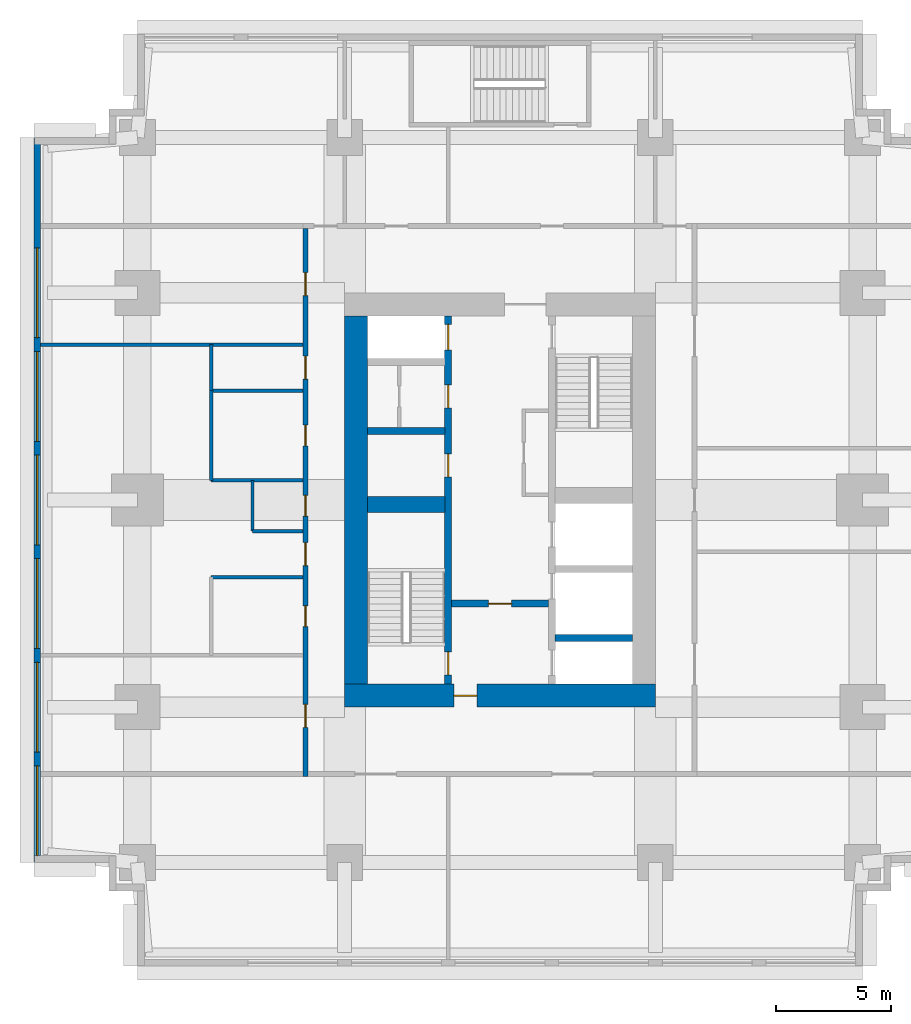
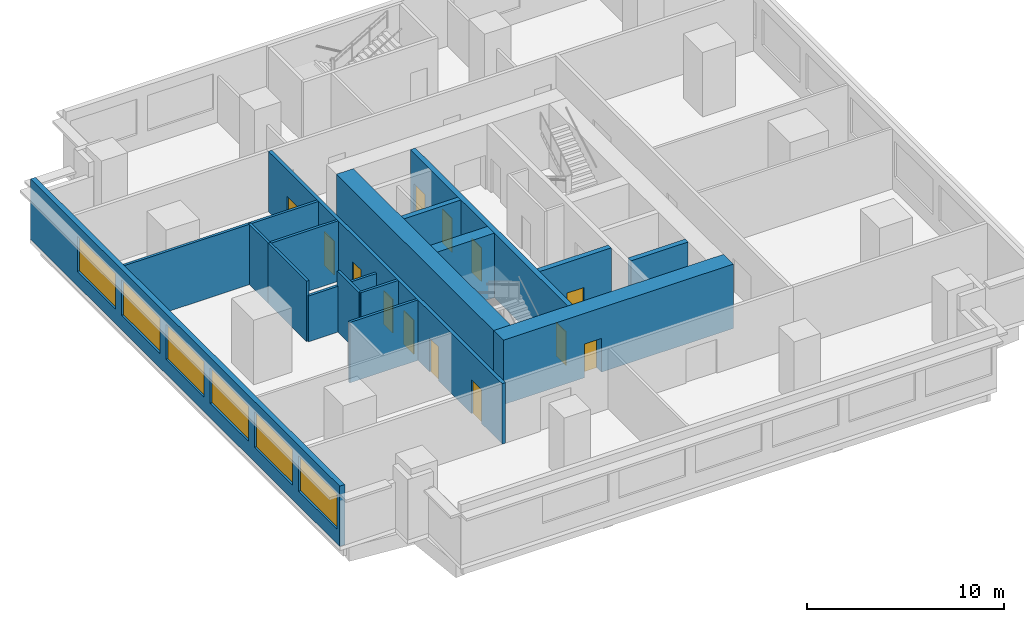
# One storey, part 3 of 11: 17 walls, 13 doors, 6 windows, 19 openings.
"""IFC4 building model written with IfcOpenShell, lengths in metres."""

from ifc_helpers import new_model, si_unit, direction, frame, frame_2d, origin, place, context, subcontext, project, spatial, rectangle, extrude, material, layer, layer_set, type_object, element, fill, save


model = new_model("IFC4")

# Units and contexts
model_context = context("Model", 3, precision=1e-05, world=origin(), true_north=direction((0.0, 1.0)))
body_context = subcontext(model_context, "Body", "Model", "MODEL_VIEW")
ifc_project = project(units=[si_unit("LENGTHUNIT", "METRE"), si_unit("AREAUNIT", "SQUARE_METRE"), si_unit("VOLUMEUNIT", "CUBIC_METRE"), si_unit("PLANEANGLEUNIT", "RADIAN"), si_unit("MASSUNIT", "GRAM", prefix="KILO")], contexts=[model_context])

# Site, building, storey
site_placement = place(None, origin())
site = spatial("IfcSite", under=ifc_project, at=site_placement, CompositionType="ELEMENT")
building_placement = place(site_placement, origin())
building = spatial("IfcBuilding", under=site, at=building_placement, Name="Namib Vertical Campus", CompositionType="ELEMENT")
storey_placement = place(building_placement, frame((0.0, 0.0, 221.0)))
storey = spatial("IfcBuildingStorey", under=building, at=storey_placement, Name="L52", CompositionType="ELEMENT", Elevation=221.0)

# Wall, openings, doors
ifc_material_1 = material(Name="Concrete C60/75", Category="concrete")
ifc_layer_1 = layer(ifc_material_1, 0.300048828125)
ifc_layer_set_1 = layer_set([ifc_layer_1], Name="Concrete C60/75")
wall_type_1 = type_object("IfcWallType", Name="Core inner wall 300", PredefinedType="SHEAR", material=ifc_layer_set_1)
wall_1_placement = place(storey_placement, frame((18.0, 12.25, 0.0), z_axis=(0.0, 0.0, 1.0), x_axis=(0.0, 1.0, 0.0)))
wall_1 = element("IfcWall", 1, at=wall_1_placement, inside=storey, type_object=wall_type_1, Name="Core inner wall A L52 W1", PredefinedType="SHEAR", context=body_context, shape_type="SweptSolid", body=[
    extrude(rectangle(XDim=16.0, YDim=0.300048828125, at=frame_2d((8.0, 0.0))), origin(), (0.0, 0.0, 1.0), 4.0),
])
opening_1_placement = place(wall_1_placement, frame((0.39990234375, 0.0, 0.0)))
opening_1 = element("IfcOpeningElement", 2, at=opening_1_placement, cuts=wall_1, Name="Opening FD1", PredefinedType="OPENING", context=body_context, shape_type="SweptSolid", body=[
    extrude(rectangle(XDim=1.0, YDim=2.10009765625, at=frame_2d((0.5, 1.050048828125))), frame((0.0, 0.159912109375, 0.0), z_axis=(0.0, -1.0, 0.0), x_axis=(1.0, 0.0, 0.0)), (0.0, 0.0, 1.0), 0.320068359375),
])
opening_2_placement = place(wall_1_placement, frame((14.52490234375, 0.0, 0.0)))
opening_2 = element("IfcOpeningElement", 3, at=opening_2_placement, cuts=wall_1, Name="Opening LD1", PredefinedType="OPENING", context=body_context, shape_type="SweptSolid", body=[
    extrude(rectangle(XDim=1.10009765625, YDim=2.10009765625, at=frame_2d((0.550048828125, 1.050048828125))), frame((0.0, 0.159912109375, 0.0), z_axis=(0.0, -1.0, 0.0), x_axis=(1.0, 0.0, 0.0)), (0.0, 0.0, 1.0), 0.320068359375),
])
opening_3_placement = place(wall_1_placement, frame((9.0, 0.0, 0.0)))
opening_3 = element("IfcOpeningElement", 4, at=opening_3_placement, cuts=wall_1, Name="Opening D1", PredefinedType="OPENING", context=body_context, shape_type="SweptSolid", body=[
    extrude(rectangle(XDim=1.0, YDim=2.10009765625, at=frame_2d((0.5, 1.050048828125))), frame((0.0, 0.159912109375, 0.0), z_axis=(0.0, -1.0, 0.0), x_axis=(1.0, 0.0, 0.0)), (0.0, 0.0, 1.0), 0.320068359375),
])
opening_4_placement = place(wall_1_placement, frame((12.0, 0.0, 0.0)))
opening_4 = element("IfcOpeningElement", 5, at=opening_4_placement, cuts=wall_1, Name="Opening D1", PredefinedType="OPENING", context=body_context, shape_type="SweptSolid", body=[
    extrude(rectangle(XDim=1.0, YDim=2.10009765625, at=frame_2d((0.5, 1.050048828125))), frame((0.0, 0.159912109375, 0.0), z_axis=(0.0, -1.0, 0.0), x_axis=(1.0, 0.0, 0.0)), (0.0, 0.0, 1.0), 0.320068359375),
])
ifc_material_2 = material(Name="Timber door leaf", Category="wood")
door_type_1 = type_object("IfcDoorType", Name="Door single 1000x2100", OperationType="SINGLE_SWING_LEFT", PredefinedType="DOOR", material=ifc_material_2)
door_1_placement = place(opening_3_placement, origin())
door_1 = element("IfcDoor", 6, at=door_1_placement, inside=storey, type_object=door_type_1, Name="Door D1 Comms room A L52 P1", OperationType="SINGLE_SWING_LEFT", OverallHeight=2.10009765625, OverallWidth=1.0, PredefinedType="DOOR", context=body_context, shape_type="SweptSolid", body=[
    extrude(rectangle(XDim=1.0, YDim=2.10009765625, at=frame_2d((0.5, 1.050048828125))), frame((0.0, 0.02490234375, 0.0), z_axis=(0.0, -1.0, 0.0), x_axis=(1.0, 0.0, 0.0)), (0.0, 0.0, 1.0), 0.050048828125),
])
fill(opening_3, door_1)
door_2_placement = place(opening_4_placement, origin())
door_2 = element("IfcDoor", 7, at=door_2_placement, inside=storey, type_object=door_type_1, Name="Door D1 Store A L52 P2", OperationType="SINGLE_SWING_LEFT", OverallHeight=2.10009765625, OverallWidth=1.0, PredefinedType="DOOR", context=body_context, shape_type="SweptSolid", body=[
    extrude(rectangle(XDim=1.0, YDim=2.10009765625, at=frame_2d((0.5, 1.050048828125))), frame((0.0, 0.02490234375, 0.0), z_axis=(0.0, -1.0, 0.0), x_axis=(1.0, 0.0, 0.0)), (0.0, 0.0, 1.0), 0.050048828125),
])
fill(opening_4, door_2)
ifc_material_3 = material(Name="Steel fire door", Category="steel")
door_type_2 = type_object("IfcDoorType", Name="Fire door 1000x2100", OperationType="SINGLE_SWING_RIGHT", PredefinedType="DOOR", material=ifc_material_3)
door_3_placement = place(opening_1_placement, origin())
door_3 = element("IfcDoor", 8, at=door_3_placement, inside=storey, type_object=door_type_2, Name="Stair door FD1 A L52 S1", OperationType="SINGLE_SWING_LEFT", OverallHeight=2.10009765625, OverallWidth=1.0, PredefinedType="DOOR", context=body_context, shape_type="SweptSolid", body=[
    extrude(rectangle(XDim=1.0, YDim=2.10009765625, at=frame_2d((0.5, 1.050048828125))), frame((0.0, 0.02490234375, 0.0), z_axis=(0.0, -1.0, 0.0), x_axis=(1.0, 0.0, 0.0)), (0.0, 0.0, 1.0), 0.050048828125),
])
fill(opening_1, door_3)
ifc_material_4 = material(Name="Stainless steel lift door", Category="steel")
door_type_3 = type_object("IfcDoorType", Name="Lift landing door 1100x2100", OperationType="DOUBLE_DOOR_SLIDING", PredefinedType="DOOR", material=ifc_material_4)
door_4_placement = place(opening_2_placement, origin())
door_4 = element("IfcDoor", 9, at=door_4_placement, inside=storey, type_object=door_type_3, Name="Lift landing door LD1 A-P3 L52", OperationType="DOUBLE_DOOR_SLIDING", OverallHeight=2.10009765625, OverallWidth=1.10009765625, PredefinedType="DOOR", context=body_context, shape_type="SweptSolid", body=[
    extrude(rectangle(XDim=1.10009765625, YDim=2.10009765625, at=frame_2d((0.550048828125, 1.050048828125))), frame((0.0, 0.02490234375, 0.0), z_axis=(0.0, -1.0, 0.0), x_axis=(1.0, 0.0, 0.0)), (0.0, 0.0, 1.0), 0.050048828125),
])
fill(opening_2, door_4)

# Wall, opening, door
wall_2_placement = place(storey_placement, frame((18.14990234375, 15.75, 0.0), z_axis=(0.0, 0.0, 1.0), x_axis=(1.0, 0.0, 0.0)))
wall_2 = element("IfcWall", 10, at=wall_2_placement, inside=storey, type_object=wall_type_1, Name="Core inner wall A L52 W4", PredefinedType="SHEAR", context=body_context, shape_type="SweptSolid", body=[
    extrude(rectangle(XDim=4.2001953125, YDim=0.300048828125, at=frame_2d((2.10009765625, 0.0))), origin(), (0.0, 0.0, 1.0), 4.0),
])
opening_5_placement = place(wall_2_placement, frame((1.60009765625, 0.0, 0.0)))
opening_5 = element("IfcOpeningElement", 11, at=opening_5_placement, cuts=wall_2, Name="Opening FD5", PredefinedType="OPENING", context=body_context, shape_type="SweptSolid", body=[
    extrude(rectangle(XDim=1.0, YDim=2.10009765625, at=frame_2d((0.5, 1.050048828125))), frame((0.0, 0.159912109375, 0.0), z_axis=(0.0, -1.0, 0.0), x_axis=(1.0, 0.0, 0.0)), (0.0, 0.0, 1.0), 0.320068359375),
])
ifc_material_5 = material(Name="Steel fire door", Category="steel")
door_type_4 = type_object("IfcDoorType", Name="Fire door 1000x2100 120 min", OperationType="SINGLE_SWING_RIGHT", PredefinedType="DOOR", material=ifc_material_5)
door_5_placement = place(opening_5_placement, frame((1.0, 0.0, 0.0), z_axis=(0.0, 0.0, 1.0), x_axis=(-1.0, 0.0, 0.0)))
door_5 = element("IfcDoor", 12, at=door_5_placement, inside=storey, type_object=door_type_4, Name="Lobby door FD5 A L52", OperationType="SINGLE_SWING_RIGHT", OverallHeight=2.10009765625, OverallWidth=1.0, PredefinedType="DOOR", context=body_context, shape_type="SweptSolid", body=[
    extrude(rectangle(XDim=1.0, YDim=2.10009765625, at=frame_2d((0.5, 1.050048828125))), frame((0.0, 0.02490234375, 0.0), z_axis=(0.0, -1.0, 0.0), x_axis=(1.0, 0.0, 0.0)), (0.0, 0.0, 1.0), 0.050048828125),
])
fill(opening_5, door_5)

# Walls
for number, where, z_axis, x_axis, name in (
    (13, (22.64990234375, 14.25, 0.0), (0.0, 0.0, 1.0), (1.0, 0.0, 0.0), "Core inner wall A L52 W5"),
    (14, (14.5, 23.25, 0.0), (0.0, 0.0, 1.0), (1.0, 0.0, 0.0), "Core inner wall A L52 W8"),
):
    element("IfcWall", number, at=place(storey_placement, frame(where, z_axis=z_axis, x_axis=x_axis)), inside=storey, type_object=wall_type_1, Name=name, PredefinedType="SHEAR", context=body_context, shape_type="SweptSolid", body=[
        extrude(rectangle(XDim=3.35009765625, YDim=0.300048828125, at=frame_2d((1.675048828125, 0.0))), origin(), (0.0, 0.0, 1.0), 4.0),
    ])
ifc_material_6 = material(Name="Concrete C60/75", Category="concrete")
ifc_layer_2 = layer(ifc_material_6, 0.699951171875)
ifc_layer_set_2 = layer_set([ifc_layer_2], Name="Concrete C60/75")
wall_type_2 = type_object("IfcWallType", Name="Core shear wall 700", PredefinedType="SHEAR", material=ifc_layer_set_2)
wall_3_placement = place(storey_placement, frame((14.5, 20.050048828125, 0.0), z_axis=(0.0, 0.0, 1.0), x_axis=(1.0, 0.0, 0.0)))
element("IfcWall", 15, at=wall_3_placement, inside=storey, type_object=wall_type_2, Name="Core shear wall A L52 W3", PredefinedType="SHEAR", context=body_context, shape_type="SweptSolid", body=[
    extrude(rectangle(XDim=3.35009765625, YDim=0.699951171875, at=frame_2d((1.675048828125, 0.0))), origin(), (0.0, 0.0, 1.0), 4.0),
])

# Wall, opening, door
ifc_material_7 = material(Name="Concrete C60/75", Category="concrete")
ifc_layer_3 = layer(ifc_material_7, 1.0)
ifc_layer_set_3 = layer_set([ifc_layer_3], Name="Concrete C60/75")
wall_type_3 = type_object("IfcWallType", Name="Core wall 1000", PredefinedType="SHEAR", material=ifc_layer_set_3)
wall_4_placement = place(storey_placement, frame((13.5, 11.75, 0.0), z_axis=(0.0, 0.0, 1.0), x_axis=(1.0, 0.0, 0.0)))
wall_4 = element("IfcWall", 16, at=wall_4_placement, inside=storey, type_object=wall_type_3, Name="Core wall A L52 1", PredefinedType="SHEAR", context=body_context, shape_type="SweptSolid", body=[
    extrude(rectangle(XDim=13.5, YDim=1.0, at=frame_2d((6.75, 0.0))), origin(), (0.0, 0.0, 1.0), 4.0),
])
opening_6_placement = place(wall_4_placement, frame((4.75, 0.0, 0.0)))
opening_6 = element("IfcOpeningElement", 17, at=opening_6_placement, cuts=wall_4, Name="Opening FD5", PredefinedType="OPENING", context=body_context, shape_type="SweptSolid", body=[
    extrude(rectangle(XDim=1.0, YDim=2.10009765625, at=frame_2d((0.5, 1.050048828125))), frame((0.0, 0.510009765625, 0.0), z_axis=(0.0, -1.0, 0.0), x_axis=(1.0, 0.0, 0.0)), (0.0, 0.0, 1.0), 1.02001953125),
])
door_6_placement = place(opening_6_placement, origin())
door_6 = element("IfcDoor", 18, at=door_6_placement, inside=storey, type_object=door_type_4, Name="Firefighting lobby door FD5 A L52", OperationType="SINGLE_SWING_LEFT", OverallHeight=2.10009765625, OverallWidth=1.0, PredefinedType="DOOR", context=body_context, shape_type="SweptSolid", body=[
    extrude(rectangle(XDim=1.0, YDim=2.10009765625, at=frame_2d((0.5, 1.050048828125))), frame((0.0, 0.02490234375, 0.0), z_axis=(0.0, -1.0, 0.0), x_axis=(1.0, 0.0, 0.0)), (0.0, 0.0, 1.0), 0.050048828125),
])
fill(opening_6, door_6)

# Wall
wall_5_placement = place(storey_placement, frame((14.0, 28.25, 0.0), z_axis=(0.0, 0.0, 1.0), x_axis=(0.0, -1.0, 0.0)))
element("IfcWall", 19, at=wall_5_placement, inside=storey, type_object=wall_type_3, Name="Core wall A L52 4", PredefinedType="SHEAR", context=body_context, shape_type="SweptSolid", body=[
    extrude(rectangle(XDim=16.0, YDim=1.0, at=frame_2d((8.0, 0.0))), origin(), (0.0, 0.0, 1.0), 4.0),
])

# Wall, openings, doors
ifc_material_8 = material(Name="Concrete masonry", Category="masonry")
ifc_layer_4 = layer(ifc_material_8, 0.199951171875)
ifc_layer_set_4 = layer_set([ifc_layer_4], Name="Corridor wall 200")
wall_type_4 = type_object("IfcWallType", Name="Corridor wall 200", PredefinedType="SOLIDWALL", material=ifc_layer_set_4)
wall_6_placement = place(storey_placement, frame((11.800048828125, 32.050048828125, 0.0), z_axis=(0.0, 0.0, 1.0), x_axis=(0.0, -1.0, 0.0)))
wall_6 = element("IfcWall", 20, at=wall_6_placement, inside=storey, type_object=wall_type_4, Name="Corridor wall A L52 CW", PredefinedType="SOLIDWALL", context=body_context, shape_type="SweptSolid", body=[
    extrude(rectangle(XDim=23.800048828125, YDim=0.199951171875, at=frame_2d((11.89990234375, 0.0))), origin(), (0.0, 0.0, 1.0), 3.75),
])
opening_7_placement = place(wall_6_placement, frame((20.675048828125, 0.0, 0.0)))
opening_7 = element("IfcOpeningElement", 21, at=opening_7_placement, cuts=wall_6, Name="Opening CD1", PredefinedType="OPENING", context=body_context, shape_type="SweptSolid", body=[
    extrude(rectangle(XDim=1.0, YDim=2.10009765625, at=frame_2d((0.5, 1.050048828125))), frame((0.0, 0.10986328125, 0.0), z_axis=(0.0, -1.0, 0.0), x_axis=(1.0, 0.0, 0.0)), (0.0, 0.0, 1.0), 0.219970703125),
])
opening_8_placement = place(wall_6_placement, frame((16.39990234375, 0.0, 0.0)))
opening_8 = element("IfcOpeningElement", 22, at=opening_8_placement, cuts=wall_6, Name="Opening CD3", PredefinedType="OPENING", context=body_context, shape_type="SweptSolid", body=[
    extrude(rectangle(XDim=0.89990234375, YDim=2.10009765625, at=frame_2d((0.449951171875, 1.050048828125))), frame((0.0, 0.10986328125, 0.0), z_axis=(0.0, -1.0, 0.0), x_axis=(1.0, 0.0, 0.0)), (0.0, 0.0, 1.0), 0.219970703125),
])
opening_9_placement = place(wall_6_placement, frame((11.60009765625, 0.0, 0.0)))
opening_9 = element("IfcOpeningElement", 23, at=opening_9_placement, cuts=wall_6, Name="Opening CD3", PredefinedType="OPENING", context=body_context, shape_type="SweptSolid", body=[
    extrude(rectangle(XDim=0.89990234375, YDim=2.10009765625, at=frame_2d((0.449951171875, 1.050048828125))), frame((0.0, 0.10986328125, 0.0), z_axis=(0.0, -1.0, 0.0), x_axis=(1.0, 0.0, 0.0)), (0.0, 0.0, 1.0), 0.219970703125),
])
opening_10_placement = place(wall_6_placement, frame((8.550048828125, 0.0, 0.0)))
opening_10 = element("IfcOpeningElement", 24, at=opening_10_placement, cuts=wall_6, Name="Opening CD3", PredefinedType="OPENING", context=body_context, shape_type="SweptSolid", body=[
    extrude(rectangle(XDim=0.89990234375, YDim=2.10009765625, at=frame_2d((0.449951171875, 1.050048828125))), frame((0.0, 0.10986328125, 0.0), z_axis=(0.0, -1.0, 0.0), x_axis=(1.0, 0.0, 0.0)), (0.0, 0.0, 1.0), 0.219970703125),
])
opening_11_placement = place(wall_6_placement, frame((5.550048828125, 0.0, 0.0)))
opening_11 = element("IfcOpeningElement", 25, at=opening_11_placement, cuts=wall_6, Name="Opening CD1", PredefinedType="OPENING", context=body_context, shape_type="SweptSolid", body=[
    extrude(rectangle(XDim=1.0, YDim=2.10009765625, at=frame_2d((0.5, 1.050048828125))), frame((0.0, 0.10986328125, 0.0), z_axis=(0.0, -1.0, 0.0), x_axis=(1.0, 0.0, 0.0)), (0.0, 0.0, 1.0), 0.219970703125),
])
opening_12_placement = place(wall_6_placement, frame((13.64990234375, 0.0, 0.0)))
opening_12 = element("IfcOpeningElement", 26, at=opening_12_placement, cuts=wall_6, Name="Opening CD1", PredefinedType="OPENING", context=body_context, shape_type="SweptSolid", body=[
    extrude(rectangle(XDim=1.0, YDim=2.10009765625, at=frame_2d((0.5, 1.050048828125))), frame((0.0, 0.10986328125, 0.0), z_axis=(0.0, -1.0, 0.0), x_axis=(1.0, 0.0, 0.0)), (0.0, 0.0, 1.0), 0.219970703125),
])
opening_13_placement = place(wall_6_placement, frame((1.925048828125, 0.0, 0.0)))
opening_13 = element("IfcOpeningElement", 27, at=opening_13_placement, cuts=wall_6, Name="Opening CD1", PredefinedType="OPENING", context=body_context, shape_type="SweptSolid", body=[
    extrude(rectangle(XDim=1.0, YDim=2.10009765625, at=frame_2d((0.5, 1.050048828125))), frame((0.0, 0.10986328125, 0.0), z_axis=(0.0, -1.0, 0.0), x_axis=(1.0, 0.0, 0.0)), (0.0, 0.0, 1.0), 0.219970703125),
])
ifc_material_9 = material(Name="Timber fire door leaf", Category="wood")
door_type_5 = type_object("IfcDoorType", Name="Corridor door 1000x2100 20 min", OperationType="SINGLE_SWING_LEFT", PredefinedType="DOOR", material=ifc_material_9)
door_7_placement = place(opening_7_placement, frame((1.0, 0.0, 0.0), z_axis=(0.0, 0.0, 1.0), x_axis=(-1.0, 0.0, 0.0)))
door_7 = element("IfcDoor", 28, at=door_7_placement, inside=storey, type_object=door_type_5, Name="Door CD1 A52-10", OperationType="SINGLE_SWING_RIGHT", OverallHeight=2.10009765625, OverallWidth=1.0, PredefinedType="DOOR", context=body_context, shape_type="SweptSolid", body=[
    extrude(rectangle(XDim=1.0, YDim=2.10009765625, at=frame_2d((0.5, 1.050048828125))), frame((0.0, 0.02490234375, 0.0), z_axis=(0.0, -1.0, 0.0), x_axis=(1.0, 0.0, 0.0)), (0.0, 0.0, 1.0), 0.050048828125),
])
fill(opening_7, door_7)
door_8_placement = place(opening_11_placement, frame((1.0, 0.0, 0.0), z_axis=(0.0, 0.0, 1.0), x_axis=(-1.0, 0.0, 0.0)))
door_8 = element("IfcDoor", 29, at=door_8_placement, inside=storey, type_object=door_type_5, Name="Door CD1 A52-14", OperationType="SINGLE_SWING_RIGHT", OverallHeight=2.10009765625, OverallWidth=1.0, PredefinedType="DOOR", context=body_context, shape_type="SweptSolid", body=[
    extrude(rectangle(XDim=1.0, YDim=2.10009765625, at=frame_2d((0.5, 1.050048828125))), frame((0.0, 0.02490234375, 0.0), z_axis=(0.0, -1.0, 0.0), x_axis=(1.0, 0.0, 0.0)), (0.0, 0.0, 1.0), 0.050048828125),
])
fill(opening_11, door_8)
door_9_placement = place(opening_12_placement, frame((1.0, 0.0, 0.0), z_axis=(0.0, 0.0, 1.0), x_axis=(-1.0, 0.0, 0.0)))
door_9 = element("IfcDoor", 30, at=door_9_placement, inside=storey, type_object=door_type_5, Name="Door CD1 A52-15", OperationType="SINGLE_SWING_RIGHT", OverallHeight=2.10009765625, OverallWidth=1.0, PredefinedType="DOOR", context=body_context, shape_type="SweptSolid", body=[
    extrude(rectangle(XDim=1.0, YDim=2.10009765625, at=frame_2d((0.5, 1.050048828125))), frame((0.0, 0.02490234375, 0.0), z_axis=(0.0, -1.0, 0.0), x_axis=(1.0, 0.0, 0.0)), (0.0, 0.0, 1.0), 0.050048828125),
])
fill(opening_12, door_9)
door_10_placement = place(opening_13_placement, frame((1.0, 0.0, 0.0), z_axis=(0.0, 0.0, 1.0), x_axis=(-1.0, 0.0, 0.0)))
door_10 = element("IfcDoor", 31, at=door_10_placement, inside=storey, type_object=door_type_5, Name="Door CD1 A52-16", OperationType="SINGLE_SWING_RIGHT", OverallHeight=2.10009765625, OverallWidth=1.0, PredefinedType="DOOR", context=body_context, shape_type="SweptSolid", body=[
    extrude(rectangle(XDim=1.0, YDim=2.10009765625, at=frame_2d((0.5, 1.050048828125))), frame((0.0, 0.02490234375, 0.0), z_axis=(0.0, -1.0, 0.0), x_axis=(1.0, 0.0, 0.0)), (0.0, 0.0, 1.0), 0.050048828125),
])
fill(opening_13, door_10)
ifc_material_10 = material(Name="Timber fire door leaf", Category="wood")
door_type_6 = type_object("IfcDoorType", Name="Corridor toilet door 900x2100 20 min", OperationType="SINGLE_SWING_LEFT", PredefinedType="DOOR", material=ifc_material_10)
door_11_placement = place(opening_8_placement, frame((0.89990234375, 0.0, 0.0), z_axis=(0.0, 0.0, 1.0), x_axis=(-1.0, 0.0, 0.0)))
door_11 = element("IfcDoor", 32, at=door_11_placement, inside=storey, type_object=door_type_6, Name="Door CD3 A52-11", OperationType="SINGLE_SWING_RIGHT", OverallHeight=2.10009765625, OverallWidth=0.89990234375, PredefinedType="DOOR", context=body_context, shape_type="SweptSolid", body=[
    extrude(rectangle(XDim=0.89990234375, YDim=2.10009765625, at=frame_2d((0.449951171875, 1.050048828125))), frame((0.0, 0.02490234375, 0.0), z_axis=(0.0, -1.0, 0.0), x_axis=(1.0, 0.0, 0.0)), (0.0, 0.0, 1.0), 0.050048828125),
])
fill(opening_8, door_11)
door_12_placement = place(opening_9_placement, frame((0.89990234375, 0.0, 0.0), z_axis=(0.0, 0.0, 1.0), x_axis=(-1.0, 0.0, 0.0)))
door_12 = element("IfcDoor", 33, at=door_12_placement, inside=storey, type_object=door_type_6, Name="Door CD3 A52-12", OperationType="SINGLE_SWING_RIGHT", OverallHeight=2.10009765625, OverallWidth=0.89990234375, PredefinedType="DOOR", context=body_context, shape_type="SweptSolid", body=[
    extrude(rectangle(XDim=0.89990234375, YDim=2.10009765625, at=frame_2d((0.449951171875, 1.050048828125))), frame((0.0, 0.02490234375, 0.0), z_axis=(0.0, -1.0, 0.0), x_axis=(1.0, 0.0, 0.0)), (0.0, 0.0, 1.0), 0.050048828125),
])
fill(opening_9, door_12)
door_13_placement = place(opening_10_placement, frame((0.89990234375, 0.0, 0.0), z_axis=(0.0, 0.0, 1.0), x_axis=(-1.0, 0.0, 0.0)))
door_13 = element("IfcDoor", 34, at=door_13_placement, inside=storey, type_object=door_type_6, Name="Door CD3 A52-13", OperationType="SINGLE_SWING_RIGHT", OverallHeight=2.10009765625, OverallWidth=0.89990234375, PredefinedType="DOOR", context=body_context, shape_type="SweptSolid", body=[
    extrude(rectangle(XDim=0.89990234375, YDim=2.10009765625, at=frame_2d((0.449951171875, 1.050048828125))), frame((0.0, 0.02490234375, 0.0), z_axis=(0.0, -1.0, 0.0), x_axis=(1.0, 0.0, 0.0)), (0.0, 0.0, 1.0), 0.050048828125),
])
fill(opening_10, door_13)

# Wall, openings, windows
ifc_material_11 = material(Name="Concrete C40/50", Category="concrete")
ifc_layer_5 = layer(ifc_material_11, 0.300048828125)
ifc_layer_set_5 = layer_set([ifc_layer_5], Name="Concrete C40/50")
wall_type_5 = type_object("IfcWallType", Name="External wall 300 board-marked concrete", PredefinedType="STANDARD", material=ifc_layer_set_5)
wall_7_placement = place(storey_placement, frame((0.14990234375, 35.97998046875, 0.0), z_axis=(0.0, 0.0, 1.0), x_axis=(0.0, -1.0, 0.0)))
wall_7 = element("IfcWall", 35, at=wall_7_placement, inside=storey, type_object=wall_type_5, Name="External wall L52 F16", PredefinedType="STANDARD", context=body_context, shape_type="SweptSolid", body=[
    extrude(rectangle(XDim=31.4599609375, YDim=0.300048828125, at=frame_2d((15.72998046875, 0.0))), origin(), (0.0, 0.0, 1.0), 3.75),
])
opening_14_placement = place(wall_7_placement, frame((27.280029296875, 0.0, 0.89990234375)))
opening_14 = element("IfcOpeningElement", 36, at=opening_14_placement, cuts=wall_7, Name="Opening W1", PredefinedType="OPENING", context=body_context, shape_type="SweptSolid", body=[
    extrude(rectangle(XDim=3.89990234375, YDim=2.199951171875, at=frame_2d((1.949951171875, 1.10009765625))), frame((0.0, 0.159912109375, 0.0), z_axis=(0.0, -1.0, 0.0), x_axis=(1.0, 0.0, 0.0)), (0.0, 0.0, 1.0), 0.320068359375),
])
opening_15_placement = place(wall_7_placement, frame((22.780029296875, 0.0, 0.89990234375)))
opening_15 = element("IfcOpeningElement", 37, at=opening_15_placement, cuts=wall_7, Name="Opening W1", PredefinedType="OPENING", context=body_context, shape_type="SweptSolid", body=[
    extrude(rectangle(XDim=3.89990234375, YDim=2.199951171875, at=frame_2d((1.949951171875, 1.10009765625))), frame((0.0, 0.159912109375, 0.0), z_axis=(0.0, -1.0, 0.0), x_axis=(1.0, 0.0, 0.0)), (0.0, 0.0, 1.0), 0.320068359375),
])
opening_16_placement = place(wall_7_placement, frame((18.280029296875, 0.0, 0.89990234375)))
opening_16 = element("IfcOpeningElement", 38, at=opening_16_placement, cuts=wall_7, Name="Opening W1", PredefinedType="OPENING", context=body_context, shape_type="SweptSolid", body=[
    extrude(rectangle(XDim=3.89990234375, YDim=2.199951171875, at=frame_2d((1.949951171875, 1.10009765625))), frame((0.0, 0.159912109375, 0.0), z_axis=(0.0, -1.0, 0.0), x_axis=(1.0, 0.0, 0.0)), (0.0, 0.0, 1.0), 0.320068359375),
])
opening_17_placement = place(wall_7_placement, frame((13.780029296875, 0.0, 0.89990234375)))
opening_17 = element("IfcOpeningElement", 39, at=opening_17_placement, cuts=wall_7, Name="Opening W1", PredefinedType="OPENING", context=body_context, shape_type="SweptSolid", body=[
    extrude(rectangle(XDim=3.89990234375, YDim=2.199951171875, at=frame_2d((1.949951171875, 1.10009765625))), frame((0.0, 0.159912109375, 0.0), z_axis=(0.0, -1.0, 0.0), x_axis=(1.0, 0.0, 0.0)), (0.0, 0.0, 1.0), 0.320068359375),
])
opening_18_placement = place(wall_7_placement, frame((9.280029296875, 0.0, 0.89990234375)))
opening_18 = element("IfcOpeningElement", 40, at=opening_18_placement, cuts=wall_7, Name="Opening W1", PredefinedType="OPENING", context=body_context, shape_type="SweptSolid", body=[
    extrude(rectangle(XDim=3.89990234375, YDim=2.199951171875, at=frame_2d((1.949951171875, 1.10009765625))), frame((0.0, 0.159912109375, 0.0), z_axis=(0.0, -1.0, 0.0), x_axis=(1.0, 0.0, 0.0)), (0.0, 0.0, 1.0), 0.320068359375),
])
opening_19_placement = place(wall_7_placement, frame((4.780029296875, 0.0, 0.89990234375)))
opening_19 = element("IfcOpeningElement", 41, at=opening_19_placement, cuts=wall_7, Name="Opening W1", PredefinedType="OPENING", context=body_context, shape_type="SweptSolid", body=[
    extrude(rectangle(XDim=3.89990234375, YDim=2.199951171875, at=frame_2d((1.949951171875, 1.10009765625))), frame((0.0, 0.159912109375, 0.0), z_axis=(0.0, -1.0, 0.0), x_axis=(1.0, 0.0, 0.0)), (0.0, 0.0, 1.0), 0.320068359375),
])
ifc_material_12 = material(Name="Dark tinted glass in black aluminium frame", Category="aluminium")
window_type = type_object("IfcWindowType", Name="Ribbon window 3900x2200", PartitioningType="SINGLE_PANEL", PredefinedType="WINDOW", material=ifc_material_12)
window_1_placement = place(opening_14_placement, origin())
window_1 = element("IfcWindow", 42, at=window_1_placement, inside=storey, type_object=window_type, Name="Window W1 L52 F16-1", OverallHeight=2.199951171875, OverallWidth=3.89990234375, PartitioningType="SINGLE_PANEL", PredefinedType="WINDOW", context=body_context, shape_type="SweptSolid", body=[
    extrude(rectangle(XDim=3.89990234375, YDim=2.199951171875, at=frame_2d((1.949951171875, 1.10009765625))), frame((0.0, 0.030029296875, 0.0), z_axis=(0.0, -1.0, 0.0), x_axis=(1.0, 0.0, 0.0)), (0.0, 0.0, 1.0), 0.06005859375),
])
fill(opening_14, window_1)
window_2_placement = place(opening_15_placement, origin())
window_2 = element("IfcWindow", 43, at=window_2_placement, inside=storey, type_object=window_type, Name="Window W1 L52 F16-2", OverallHeight=2.199951171875, OverallWidth=3.89990234375, PartitioningType="SINGLE_PANEL", PredefinedType="WINDOW", context=body_context, shape_type="SweptSolid", body=[
    extrude(rectangle(XDim=3.89990234375, YDim=2.199951171875, at=frame_2d((1.949951171875, 1.10009765625))), frame((0.0, 0.030029296875, 0.0), z_axis=(0.0, -1.0, 0.0), x_axis=(1.0, 0.0, 0.0)), (0.0, 0.0, 1.0), 0.06005859375),
])
fill(opening_15, window_2)
window_3_placement = place(opening_16_placement, origin())
window_3 = element("IfcWindow", 44, at=window_3_placement, inside=storey, type_object=window_type, Name="Window W1 L52 F16-3", OverallHeight=2.199951171875, OverallWidth=3.89990234375, PartitioningType="SINGLE_PANEL", PredefinedType="WINDOW", context=body_context, shape_type="SweptSolid", body=[
    extrude(rectangle(XDim=3.89990234375, YDim=2.199951171875, at=frame_2d((1.949951171875, 1.10009765625))), frame((0.0, 0.030029296875, 0.0), z_axis=(0.0, -1.0, 0.0), x_axis=(1.0, 0.0, 0.0)), (0.0, 0.0, 1.0), 0.06005859375),
])
fill(opening_16, window_3)
window_4_placement = place(opening_17_placement, origin())
window_4 = element("IfcWindow", 45, at=window_4_placement, inside=storey, type_object=window_type, Name="Window W1 L52 F16-4", OverallHeight=2.199951171875, OverallWidth=3.89990234375, PartitioningType="SINGLE_PANEL", PredefinedType="WINDOW", context=body_context, shape_type="SweptSolid", body=[
    extrude(rectangle(XDim=3.89990234375, YDim=2.199951171875, at=frame_2d((1.949951171875, 1.10009765625))), frame((0.0, 0.030029296875, 0.0), z_axis=(0.0, -1.0, 0.0), x_axis=(1.0, 0.0, 0.0)), (0.0, 0.0, 1.0), 0.06005859375),
])
fill(opening_17, window_4)
window_5_placement = place(opening_18_placement, origin())
window_5 = element("IfcWindow", 46, at=window_5_placement, inside=storey, type_object=window_type, Name="Window W1 L52 F16-5", OverallHeight=2.199951171875, OverallWidth=3.89990234375, PartitioningType="SINGLE_PANEL", PredefinedType="WINDOW", context=body_context, shape_type="SweptSolid", body=[
    extrude(rectangle(XDim=3.89990234375, YDim=2.199951171875, at=frame_2d((1.949951171875, 1.10009765625))), frame((0.0, 0.030029296875, 0.0), z_axis=(0.0, -1.0, 0.0), x_axis=(1.0, 0.0, 0.0)), (0.0, 0.0, 1.0), 0.06005859375),
])
fill(opening_18, window_5)
window_6_placement = place(opening_19_placement, origin())
window_6 = element("IfcWindow", 47, at=window_6_placement, inside=storey, type_object=window_type, Name="Window W1 L52 F16-6", OverallHeight=2.199951171875, OverallWidth=3.89990234375, PartitioningType="SINGLE_PANEL", PredefinedType="WINDOW", context=body_context, shape_type="SweptSolid", body=[
    extrude(rectangle(XDim=3.89990234375, YDim=2.199951171875, at=frame_2d((1.949951171875, 1.10009765625))), frame((0.0, 0.030029296875, 0.0), z_axis=(0.0, -1.0, 0.0), x_axis=(1.0, 0.0, 0.0)), (0.0, 0.0, 1.0), 0.06005859375),
])
fill(opening_19, window_6)

# Walls
ifc_material_13 = material(Name="Gypsum board on steel studs", Category="steel")
ifc_layer_6 = layer(ifc_material_13, 0.14990234375)
ifc_layer_set_6 = layer_set([ifc_layer_6], Name="Gypsum board on steel studs")
wall_type_6 = type_object("IfcWallType", Name="Partition 150", PredefinedType="PARTITIONING", material=ifc_layer_set_6)
wall_8_placement = place(storey_placement, frame((0.300048828125, 27.0, 0.0), z_axis=(0.0, 0.0, 1.0), x_axis=(1.0, 0.0, 0.0)))
element("IfcWall", 48, at=wall_8_placement, inside=storey, type_object=wall_type_6, Name="Partition A L52 PW2", PredefinedType="PARTITIONING", context=body_context, shape_type="SweptSolid", body=[
    extrude(rectangle(XDim=11.39990234375, YDim=0.14990234375, at=frame_2d((5.699951171875, 0.0))), origin(), (0.0, 0.0, 1.0), 3.75),
])
wall_9_placement = place(storey_placement, frame((11.699951171875, 16.89990234375, 0.0), z_axis=(0.0, 0.0, 1.0), x_axis=(-1.0, 0.0, 0.0)))
element("IfcWall", 49, at=wall_9_placement, inside=storey, type_object=wall_type_6, Name="Partition A L52 WR1", PredefinedType="PARTITIONING", context=body_context, shape_type="SweptSolid", body=[
    extrude(rectangle(XDim=4.0, YDim=0.14990234375, at=frame_2d((2.0, 0.0))), origin(), (0.0, 0.0, 1.0), 3.75),
])
wall_10_placement = place(storey_placement, frame((11.699951171875, 18.89990234375, 0.0), z_axis=(0.0, 0.0, 1.0), x_axis=(-1.0, 0.0, 0.0)))
element("IfcWall", 50, at=wall_10_placement, inside=storey, type_object=wall_type_6, Name="Partition A L52 WR2", PredefinedType="PARTITIONING", context=body_context, shape_type="SweptSolid", body=[
    extrude(rectangle(XDim=2.199951171875, YDim=0.14990234375, at=frame_2d((1.10009765625, 0.0))), origin(), (0.0, 0.0, 1.0), 3.75),
])
wall_11_placement = place(storey_placement, frame((11.699951171875, 21.10009765625, 0.0), z_axis=(0.0, 0.0, 1.0), x_axis=(-1.0, 0.0, 0.0)))
element("IfcWall", 51, at=wall_11_placement, inside=storey, type_object=wall_type_6, Name="Partition A L52 WR3", PredefinedType="PARTITIONING", context=body_context, shape_type="SweptSolid", body=[
    extrude(rectangle(XDim=4.0, YDim=0.14990234375, at=frame_2d((2.0, 0.0))), origin(), (0.0, 0.0, 1.0), 2.85009765625),
])
wall_12_placement = place(storey_placement, frame((11.699951171875, 25.0, 0.0), z_axis=(0.0, 0.0, 1.0), x_axis=(-1.0, 0.0, 0.0)))
element("IfcWall", 52, at=wall_12_placement, inside=storey, type_object=wall_type_6, Name="Partition A L52 WR4", PredefinedType="PARTITIONING", context=body_context, shape_type="SweptSolid", body=[
    extrude(rectangle(XDim=4.0, YDim=0.14990234375, at=frame_2d((2.0, 0.0))), origin(), (0.0, 0.0, 1.0), 3.75),
])
wall_13_placement = place(storey_placement, frame((9.5, 18.89990234375, 0.0), z_axis=(0.0, 0.0, 1.0), x_axis=(0.0, 1.0, 0.0)))
element("IfcWall", 53, at=wall_13_placement, inside=storey, type_object=wall_type_6, Name="Partition A L52 WB2", PredefinedType="PARTITIONING", context=body_context, shape_type="SweptSolid", body=[
    extrude(rectangle(XDim=2.2001953125, YDim=0.14990234375, at=frame_2d((1.10009765625, 0.0))), origin(), (0.0, 0.0, 1.0), 3.75),
])
wall_14_placement = place(storey_placement, frame((7.699951171875, 21.10009765625, 0.0), z_axis=(0.0, 0.0, 1.0), x_axis=(0.0, 1.0, 0.0)))
element("IfcWall", 54, at=wall_14_placement, inside=storey, type_object=wall_type_6, Name="Partition A L52 WB3", PredefinedType="PARTITIONING", context=body_context, shape_type="SweptSolid", body=[
    extrude(rectangle(XDim=3.89990234375, YDim=0.14990234375, at=frame_2d((1.949951171875, 0.0))), origin(), (0.0, 0.0, 1.0), 3.75),
])
wall_15_placement = place(storey_placement, frame((7.699951171875, 25.0, 0.0), z_axis=(0.0, 0.0, 1.0), x_axis=(0.0, 1.0, 0.0)))
element("IfcWall", 55, at=wall_15_placement, inside=storey, type_object=wall_type_6, Name="Partition A L52 WB4", PredefinedType="PARTITIONING", context=body_context, shape_type="SweptSolid", body=[
    extrude(rectangle(XDim=2.0, YDim=0.14990234375, at=frame_2d((1.0, 0.0))), origin(), (0.0, 0.0, 1.0), 3.75),
])

save(model, "model.ifc")
